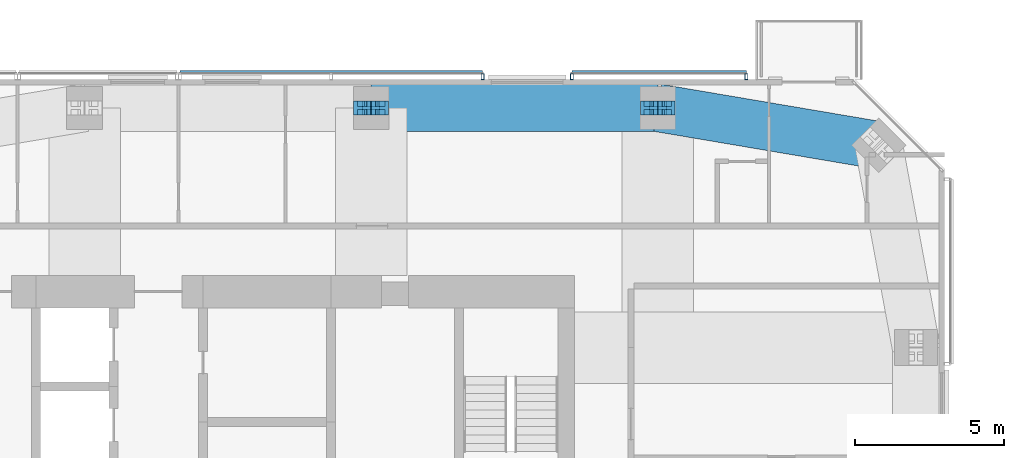
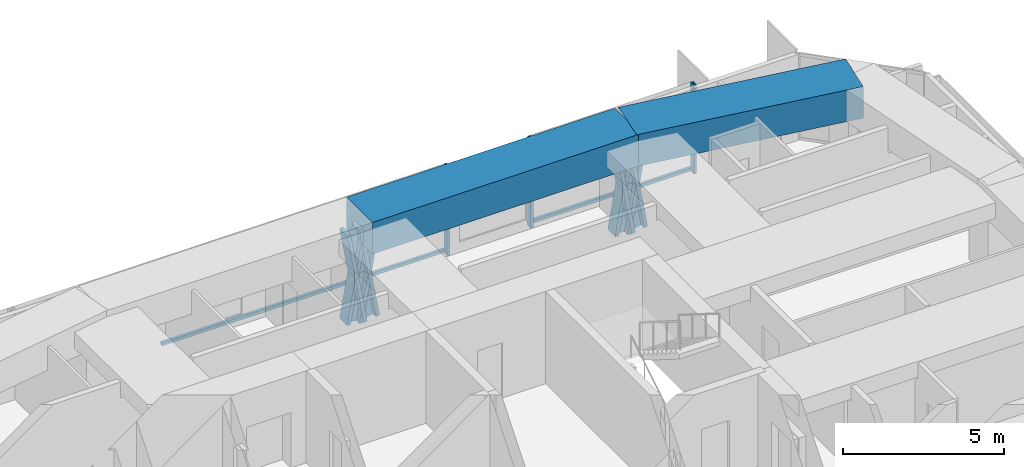
# One storey, part 10 of 18: 13 members, 2 beams, 2 elements without a shape of their own.
"""IFC4 building model written with IfcOpenShell, lengths in metres."""

from ifc_helpers import new_model, si_unit, direction, frame, origin, origin_2d, place, context, subcontext, project, spatial, rectangle, hollow_rectangle, i_section, extrude, material, material_profile, profile_set, type_object, element, aggregate, save


model = new_model("IFC4")

# Units and contexts
model_context = context("Model", 3, precision=1e-05, world=origin(), true_north=direction((0.0, 1.0)))
body_context = subcontext(model_context, "Body", "Model", "MODEL_VIEW")
ifc_project = project(units=[si_unit("LENGTHUNIT", "METRE"), si_unit("AREAUNIT", "SQUARE_METRE"), si_unit("VOLUMEUNIT", "CUBIC_METRE"), si_unit("PLANEANGLEUNIT", "RADIAN"), si_unit("MASSUNIT", "GRAM", prefix="KILO")], contexts=[model_context])

# Site, building, storey
site_placement = place(None, origin())
site = spatial("IfcSite", under=ifc_project, at=site_placement, CompositionType="ELEMENT")
building_placement = place(site_placement, origin())
building = spatial("IfcBuilding", under=site, at=building_placement, Name="Jalousie Tower", CompositionType="ELEMENT")
storey_placement = place(building_placement, frame((0.0, 0.0, 256.449951171875)))
storey = spatial("IfcBuildingStorey", under=building, at=storey_placement, Name="L70", CompositionType="ELEMENT", Elevation=256.449951171875)

# Members
ifc_material_1 = material(Name="Steel ASTM A992 Grade 50", Category="steel")
ifc_material_profile_1 = material_profile(ifc_material_1, i_section(OverallWidth=0.472412109375, OverallDepth=0.5791015625, WebThickness=0.094970703125, FlangeThickness=0.1298828125, at=origin_2d()), Name="W14X808")
ifc_profile_set_1 = profile_set([ifc_material_profile_1], Name="Steel ASTM A992 Grade 50")
member_type_1 = type_object("IfcMemberType", Name="PERIMETER BRACE W14X808", PredefinedType="BRACE", material=ifc_profile_set_1)
for number, where, z_axis, x_axis, name in (
    (1, (46.574951171875, 33.050048828125, -0.599853515625), (0.168990530437, 0.0, 0.98561767467), (0.0, 1.0, 0.0), "Perimeter brace 09 L70 part 1"),
    (2, (46.875, 33.050048828125, 1.150146484375), (0.168990530437, 0.0, 0.98561767467), (0.0, 1.0, 0.0), "Perimeter brace 09 L70 part 2"),
    (3, (47.175048828125, 33.050048828125, -0.599853515625), (-0.168990530437, 0.0, 0.98561767467), (0.0, -1.0, 0.0), "Perimeter brace 09 L70 part 3"),
    (4, (46.875, 33.050048828125, 1.150146484375), (-0.168990530437, 0.0, 0.98561767467), (0.0, -1.0, 0.0), "Perimeter brace 09 L70 part 4"),
    (5, (36.949951171875, 33.050048828125, -0.599853515625), (0.168990530437, 0.0, 0.98561767467), (0.0, 1.0, 0.0), "Perimeter brace 10 L70 part 1"),
    (6, (37.25, 33.050048828125, 1.150146484375), (0.168990530437, 0.0, 0.98561767467), (0.0, 1.0, 0.0), "Perimeter brace 10 L70 part 2"),
    (7, (37.550048828125, 33.050048828125, -0.599853515625), (-0.168990530437, 0.0, 0.98561767467), (0.0, -1.0, 0.0), "Perimeter brace 10 L70 part 3"),
    (8, (37.25, 33.050048828125, 1.150146484375), (-0.168990530437, 0.0, 0.98561767467), (0.0, -1.0, 0.0), "Perimeter brace 10 L70 part 4"),
):
    element("IfcMember", number, at=place(storey_placement, frame(where, z_axis=z_axis, x_axis=x_axis)), inside=storey, type_object=member_type_1, Name=name, PredefinedType="BRACE", context=body_context, shape_type="SweptSolid", body=[
        extrude(i_section(OverallWidth=0.472412109375, OverallDepth=0.5791015625, WebThickness=0.094970703125, FlangeThickness=0.1298828125, at=origin_2d()), origin(), (0.0, 0.0, 1.0), 1.775634765625),
    ])

# Beams
ifc_material_2 = material(Name="Concrete f'c 40 MPa", Category="concrete")
ifc_material_profile_2 = material_profile(ifc_material_2, rectangle(XDim=1.60009765625, YDim=1.199951171875, at=origin_2d()), Name="RC 1600x1200")
ifc_profile_set_2 = profile_set([ifc_material_profile_2], Name="Concrete f'c 40 MPa")
beam_type = type_object("IfcBeamType", Name="RC BEAM 1600x1200", PredefinedType="BEAM", material=ifc_profile_set_2)
beam_1_placement = place(storey_placement, frame((54.29296875, 31.79296875, 2.900146484375), z_axis=(-0.985942997446, 0.167082033105, 0.0), x_axis=(-0.167082033105, -0.985942997446, 0.0)))
element("IfcBeam", 9, at=beam_1_placement, inside=storey, type_object=beam_type, Name="Edge band beam 08-09 under L71", PredefinedType="BEAM", context=body_context, shape_type="SweptSolid", body=[
    extrude(rectangle(XDim=1.60009765625, YDim=1.199951171875, at=origin_2d()), origin(), (0.0, 0.0, 1.0), 7.523681640625),
])
beam_2_placement = place(storey_placement, frame((46.875, 33.050048828125, 2.900146484375), z_axis=(-1.0, 0.0, 0.0), x_axis=(0.0, -1.0, 0.0)))
element("IfcBeam", 10, at=beam_2_placement, inside=storey, type_object=beam_type, Name="Edge band beam 09-10 under L71", PredefinedType="BEAM", context=body_context, shape_type="SweptSolid", body=[
    extrude(rectangle(XDim=1.60009765625, YDim=1.199951171875, at=origin_2d()), origin(), (0.0, 0.0, 1.0), 9.625),
])

# Curtain wall, members
ifc_material_3 = material(Name="Perforated aluminium sheet", Category="aluminium")
curtain_wall_type = type_object("IfcCurtainWallType", Name="SOLAR SCREEN SS-2", PredefinedType="USERDEFINED", material=ifc_material_3)
curtain_wall_1_placement = place(storey_placement, origin())
curtain_wall_1 = element("IfcCurtainWall", 11, at=curtain_wall_1_placement, inside=storey, type_object=curtain_wall_type, Name="Solar screen L70", ObjectType="SOLAR SCREEN SS-2", PredefinedType="USERDEFINED")
ifc_material_4 = material(Name="Steel ASTM A500 Grade C", Category="steel")
ifc_material_profile_3 = material_profile(ifc_material_4, hollow_rectangle(XDim=0.1015625, YDim=0.203125, WallThickness=0.0078125, at=origin_2d()), Name="HSS8X4X5/16")
ifc_profile_set_3 = profile_set([ifc_material_profile_3], Name="Steel ASTM A500 Grade C")
member_type_2 = type_object("IfcMemberType", Name="SOLAR SCREEN SS-2 MULLION", PredefinedType="MULLION", material=ifc_profile_set_3)
member_1_placement = place(storey_placement, frame((49.8486328125, 34.0966796875, -0.119873046875), z_axis=(0.0, 0.0, 1.0), x_axis=(-1.0, 0.0, 0.0)))
member_1 = element("IfcMember", 12, at=member_1_placement, type_object=member_type_2, Name="SS2 post 1", PredefinedType="MULLION", context=body_context, shape_type="SweptSolid", body=[
    extrude(hollow_rectangle(XDim=0.1015625, YDim=0.203125, WallThickness=0.0078125, at=origin_2d()), origin(), (0.0, 0.0, 1.0), 3.3798828125),
])
member_2_placement = place(storey_placement, frame((43.98876953125, 34.0966796875, -0.119873046875), z_axis=(0.0, 0.0, 1.0), x_axis=(-1.0, 0.0, 0.0)))
member_2 = element("IfcMember", 13, at=member_2_placement, type_object=member_type_2, Name="SS2 post 2", PredefinedType="MULLION", context=body_context, shape_type="SweptSolid", body=[
    extrude(hollow_rectangle(XDim=0.1015625, YDim=0.203125, WallThickness=0.0078125, at=origin_2d()), origin(), (0.0, 0.0, 1.0), 3.3798828125),
])

# Curtain wall, member
curtain_wall_2_placement = place(storey_placement, origin())
curtain_wall_2 = element("IfcCurtainWall", 14, at=curtain_wall_2_placement, inside=storey, type_object=curtain_wall_type, Name="Solar screen L70", ObjectType="SOLAR SCREEN SS-2", PredefinedType="USERDEFINED")
member_3_placement = place(storey_placement, frame((40.98876953125, 34.0966796875, -0.119873046875), z_axis=(0.0, 0.0, 1.0), x_axis=(-1.0, 0.0, 0.0)))
member_3 = element("IfcMember", 15, at=member_3_placement, type_object=member_type_2, Name="SS2 post 1", PredefinedType="MULLION", context=body_context, shape_type="SweptSolid", body=[
    extrude(hollow_rectangle(XDim=0.1015625, YDim=0.203125, WallThickness=0.0078125, at=origin_2d()), origin(), (0.0, 0.0, 1.0), 3.3798828125),
])

# Member
ifc_material_5 = material(Name="Extruded aluminium screen rail", Category="aluminium")
ifc_material_profile_4 = material_profile(ifc_material_5, rectangle(XDim=0.1015625, YDim=0.1201171875, at=origin_2d()), Name="RAIL 102x120")
ifc_profile_set_4 = profile_set([ifc_material_profile_4], Name="Extruded aluminium screen rail")
member_type_3 = type_object("IfcMemberType", Name="SOLAR SCREEN SS-2 TRANSOM", PredefinedType="USERDEFINED", material=ifc_profile_set_4)
member_4_placement = place(storey_placement, frame((49.8486328125, 34.2490234375, -0.06005859375), z_axis=(-1.0, 0.0, 0.0), x_axis=(0.0, -1.0, 0.0)))
member_4 = element("IfcMember", 16, at=member_4_placement, type_object=member_type_3, Name="SS2 rail", ObjectType="TRANSOM", PredefinedType="USERDEFINED", context=body_context, shape_type="SweptSolid", body=[
    extrude(rectangle(XDim=0.1015625, YDim=0.1201171875, at=origin_2d()), origin(), (0.0, 0.0, 1.0), 5.85986328125),
])

aggregate(curtain_wall_1, [member_1, member_2, member_4])

member_5_placement = place(storey_placement, frame((40.98876953125, 34.2490234375, -0.06005859375), z_axis=(-1.0, 0.0, 0.0), x_axis=(0.0, -1.0, 0.0)))
member_5 = element("IfcMember", 17, at=member_5_placement, type_object=member_type_3, Name="SS2 rail", ObjectType="TRANSOM", PredefinedType="USERDEFINED", context=body_context, shape_type="SweptSolid", body=[
    extrude(rectangle(XDim=0.1015625, YDim=0.1201171875, at=origin_2d()), origin(), (0.0, 0.0, 1.0), 10.163818359375),
])

aggregate(curtain_wall_2, [member_3, member_5])

save(model, "model.ifc")
